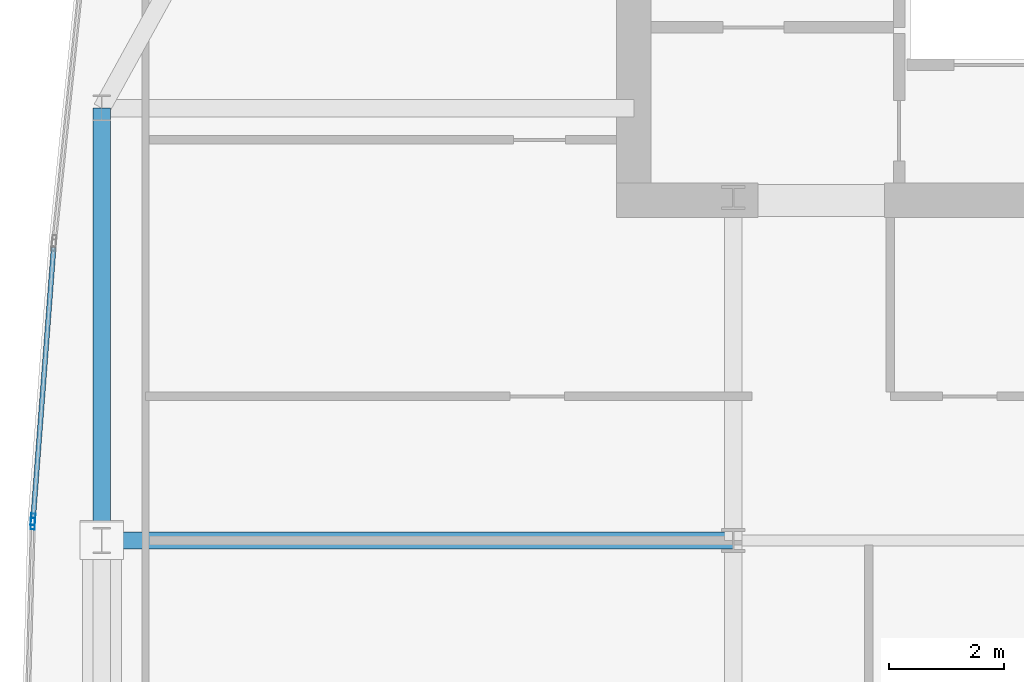
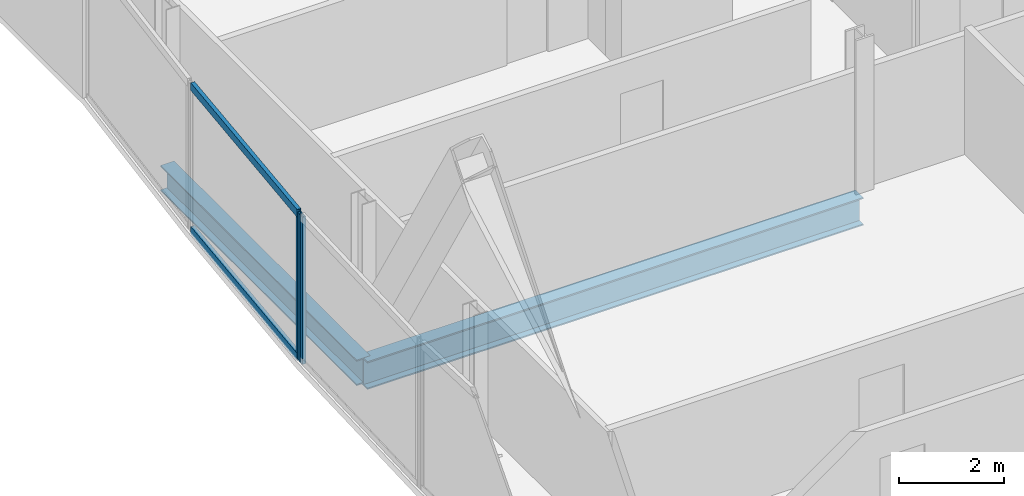
# One storey, part 12 of 32: 4 members, 2 beams, 2 elements without a shape of their own.
"""IFC4 building model written with IfcOpenShell, lengths in metres."""

from ifc_helpers import new_model, si_unit, direction, frame, origin, origin_2d, place, context, subcontext, project, spatial, hollow_rectangle, i_section, extrude, material, material_profile, profile_set, type_object, element, aggregate, save


model = new_model("IFC4")

# Units and contexts
model_context = context("Model", 3, precision=1e-05, world=origin(), true_north=direction((0.0, 1.0)))
body_context = subcontext(model_context, "Body", "Model", "MODEL_VIEW")
ifc_project = project(units=[si_unit("LENGTHUNIT", "METRE"), si_unit("AREAUNIT", "SQUARE_METRE"), si_unit("VOLUMEUNIT", "CUBIC_METRE"), si_unit("PLANEANGLEUNIT", "RADIAN"), si_unit("MASSUNIT", "GRAM", prefix="KILO")], contexts=[model_context])

# Site, building, storey
site_placement = place(None, origin())
site = spatial("IfcSite", under=ifc_project, at=site_placement, CompositionType="ELEMENT")
building_placement = place(site_placement, origin())
building = spatial("IfcBuilding", under=site, at=building_placement, Name="Khoronbel Lancet Exchange", CompositionType="ELEMENT")
storey_placement = place(building_placement, frame((0.0, 0.0, 231.800048828125)))
storey = spatial("IfcBuildingStorey", under=building, at=storey_placement, Name="L59", CompositionType="ELEMENT", Elevation=231.800048828125)

# Beams
ifc_material_1 = material(Name="Steel S355", Category="steel")
ifc_material_profile_1 = material_profile(ifc_material_1, i_section(OverallWidth=0.300048828125, OverallDepth=0.64990234375, WebThickness=0.01611328125, FlangeThickness=0.031005859375, at=origin_2d()), Name="HEB 650")
ifc_profile_set_1 = profile_set([ifc_material_profile_1], Name="Steel S355")
beam_type_1 = type_object("IfcBeamType", Name="BM-BG4", PredefinedType="BEAM", material=ifc_profile_set_1)
beam_1_placement = place(storey_placement, frame((7.27001953125, 35.699951171875, -0.485107421875), z_axis=(1.0, 0.0, 0.0), x_axis=(0.0, 1.0, 0.0)))
element("IfcBeam", 1, at=beam_1_placement, inside=storey, type_object=beam_type_1, Name="Level L59 west lens tie girder LG4W", PredefinedType="BEAM", context=body_context, shape_type="SweptSolid", body=[
    extrude(i_section(OverallWidth=0.300048828125, OverallDepth=0.64990234375, WebThickness=0.01611328125, FlangeThickness=0.031005859375, at=origin_2d()), origin(), (0.0, 0.0, 1.0), 10.955078125),
])
ifc_material_profile_2 = material_profile(ifc_material_1, i_section(OverallWidth=0.300048828125, OverallDepth=0.60009765625, WebThickness=0.015380859375, FlangeThickness=0.030029296875, at=origin_2d()), Name="HEB 600")
ifc_profile_set_2 = profile_set([ifc_material_profile_2], Name="Steel S355")
beam_type_2 = type_object("IfcBeamType", Name="BM-BSP2", PredefinedType="SPANDREL", material=ifc_profile_set_2)
beam_2_placement = place(storey_placement, frame((7.27001953125, 43.199951171875, -0.4599609375), z_axis=(0.0, -1.0, 0.0), x_axis=(1.0, 0.0, 0.0)))
element("IfcBeam", 2, at=beam_2_placement, inside=storey, type_object=beam_type_2, Name="Level L59 perimeter spandrel beam SP17", PredefinedType="SPANDREL", context=body_context, shape_type="SweptSolid", body=[
    extrude(i_section(OverallWidth=0.300048828125, OverallDepth=0.60009765625, WebThickness=0.015380859375, FlangeThickness=0.030029296875, at=origin_2d()), origin(), (0.0, 0.0, 1.0), 7.5),
])

# Curtain wall, member
ifc_material_2 = material(Name="Low-E Solar Control Insulating Glass", Category="glass")
curtain_wall_type = type_object("IfcCurtainWallType", Name="CW-4", PredefinedType="NOTDEFINED", material=ifc_material_2)
curtain_wall_1_placement = place(storey_placement, origin())
curtain_wall_1 = element("IfcCurtainWall", 3, at=curtain_wall_1_placement, inside=storey, type_object=curtain_wall_type, Name="Unitised curtain wall CW-L59-E07", PredefinedType="NOTDEFINED")
ifc_material_3 = material(Name="Bronze-Anodised Aluminium 6063-T6", Category="aluminium")
ifc_material_profile_3 = material_profile(ifc_material_3, hollow_rectangle(XDim=0.074951171875, YDim=0.199951171875, WallThickness=0.0048828125, at=origin_2d()), Name="ALU MULLION 75x200")
ifc_profile_set_3 = profile_set([ifc_material_profile_3], Name="Bronze-Anodised Aluminium 6063-T6")
member_type_1 = type_object("IfcMemberType", Name="MEM-CWM2", PredefinedType="MULLION", material=ifc_profile_set_3)
member_1_placement = place(storey_placement, frame((6.07275390625, 35.9912109375, 0.0), z_axis=(0.0, 0.0, 1.0), x_axis=(-0.999615744286, 0.027719375438, 0.0)))
member_1 = element("IfcMember", 4, at=member_1_placement, type_object=member_type_1, Name="CW4 mullion 2", PredefinedType="MULLION", context=body_context, shape_type="SweptSolid", body=[
    extrude(hollow_rectangle(XDim=0.074951171875, YDim=0.199951171875, WallThickness=0.0048828125, at=origin_2d()), origin(), (0.0, 0.0, 1.0), 3.43994140625),
])
aggregate(curtain_wall_1, [member_1])

# Curtain wall, members
curtain_wall_2_placement = place(storey_placement, origin())
curtain_wall_2 = element("IfcCurtainWall", 5, at=curtain_wall_2_placement, inside=storey, type_object=curtain_wall_type, Name="Unitised curtain wall CW-L59-E08", PredefinedType="NOTDEFINED")
member_2_placement = place(storey_placement, frame((6.07666015625, 36.066162109375, 0.0), z_axis=(0.0, 0.0, 1.0), x_axis=(-0.997145938632, 0.075498192491, 0.0)))
member_2 = element("IfcMember", 6, at=member_2_placement, type_object=member_type_1, Name="CW4 mullion 1", PredefinedType="MULLION", context=body_context, shape_type="SweptSolid", body=[
    extrude(hollow_rectangle(XDim=0.074951171875, YDim=0.199951171875, WallThickness=0.0048828125, at=origin_2d()), origin(), (0.0, 0.0, 1.0), 3.43994140625),
])
ifc_material_profile_4 = material_profile(ifc_material_3, hollow_rectangle(XDim=0.0849609375, YDim=0.179931640625, WallThickness=0.0048828125, at=origin_2d()), Name="ALU TRANSOM 85x180")
ifc_profile_set_4 = profile_set([ifc_material_profile_4], Name="Bronze-Anodised Aluminium 6063-T6")
member_type_2 = type_object("IfcMemberType", Name="MEM-CWT1", PredefinedType="USERDEFINED", material=ifc_profile_set_4)
member_3_placement = place(storey_placement, frame((6.07958984375, 36.103515625, 0.04248046875), z_axis=(0.075471373574, 0.997147968845, 0.0), x_axis=(-0.997147968845, 0.075471373574, 0.0)))
member_3 = element("IfcMember", 7, at=member_3_placement, type_object=member_type_2, Name="CW4 transom 1.1", ObjectType="TRANSOM", PredefinedType="USERDEFINED", context=body_context, shape_type="SweptSolid", body=[
    extrude(hollow_rectangle(XDim=0.0849609375, YDim=0.179931640625, WallThickness=0.0048828125, at=origin_2d()), origin(), (0.0, 0.0, 1.0), 4.69384765625),
])
member_4_placement = place(storey_placement, frame((6.07958984375, 36.103515625, 3.3974609375), z_axis=(0.075471373574, 0.997147968845, 0.0), x_axis=(-0.997147968845, 0.075471373574, 0.0)))
member_4 = element("IfcMember", 8, at=member_4_placement, type_object=member_type_2, Name="CW4 transom 1.2", ObjectType="TRANSOM", PredefinedType="USERDEFINED", context=body_context, shape_type="SweptSolid", body=[
    extrude(hollow_rectangle(XDim=0.0849609375, YDim=0.179931640625, WallThickness=0.0048828125, at=origin_2d()), origin(), (0.0, 0.0, 1.0), 4.69384765625),
])
aggregate(curtain_wall_2, [member_2, member_3, member_4])

save(model, "model.ifc")
